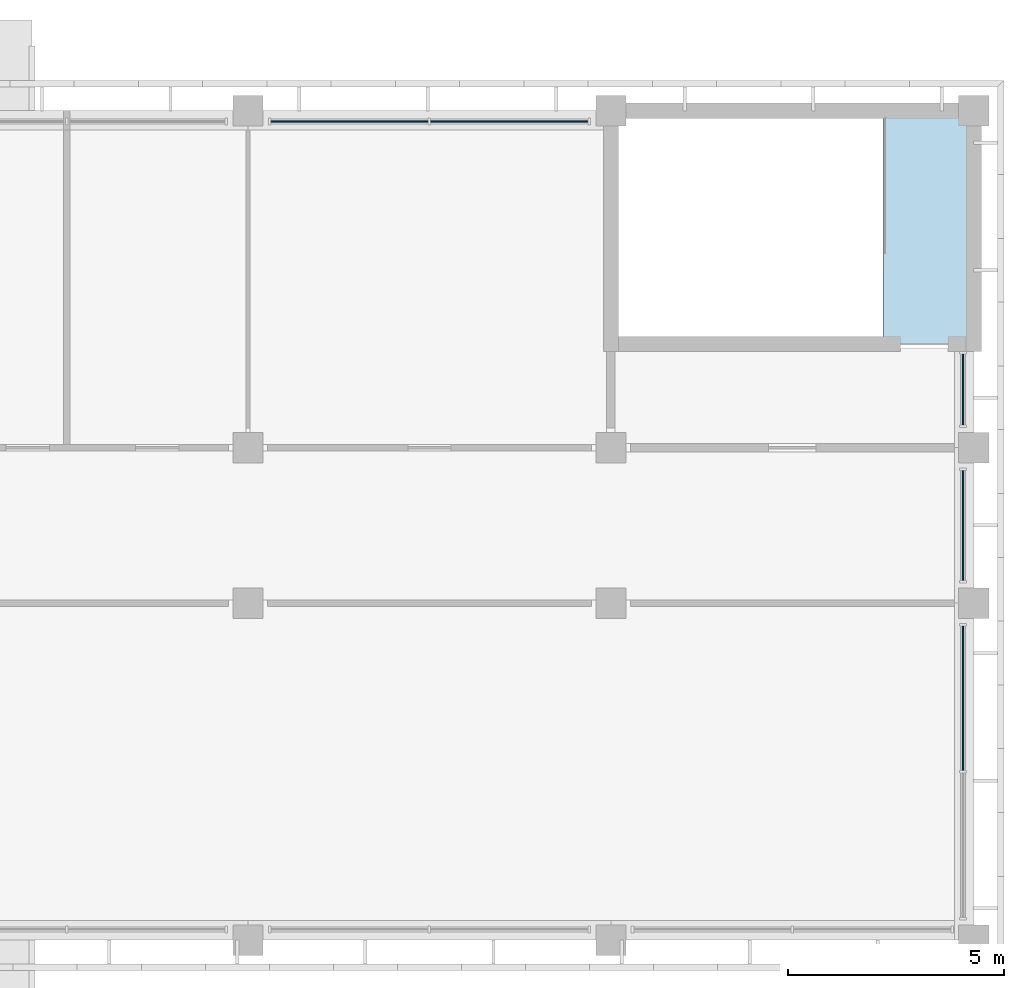
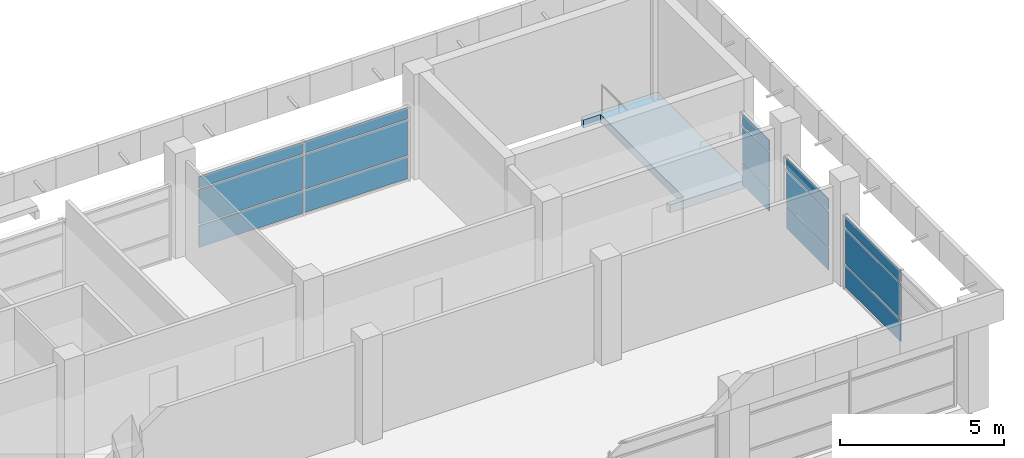
# One storey, part 14 of 36: 15 plates, 1 slab, 4 elements without a shape of their own.
"""IFC4 building model written with IfcOpenShell, lengths in metres."""

from ifc_helpers import new_model, si_unit, direction, frame, origin, origin_2d, place, context, subcontext, project, spatial, polyline, rectangle, outline, extrude, material, layer, layer_set, type_object, element, aggregate, save


model = new_model("IFC4")

# Units and contexts
model_context = context("Model", 3, precision=1e-05, world=origin(), true_north=direction((0.0, 1.0)))
body_context = subcontext(model_context, "Body", "Model", "MODEL_VIEW")
ifc_project = project(units=[si_unit("LENGTHUNIT", "METRE"), si_unit("AREAUNIT", "SQUARE_METRE"), si_unit("VOLUMEUNIT", "CUBIC_METRE"), si_unit("PLANEANGLEUNIT", "RADIAN"), si_unit("MASSUNIT", "GRAM", prefix="KILO")], contexts=[model_context])

# Site, building, storey
site_placement = place(None, origin())
site = spatial("IfcSite", under=ifc_project, at=site_placement, CompositionType="ELEMENT")
building_placement = place(site_placement, origin())
building = spatial("IfcBuilding", under=site, at=building_placement, Name="Bougainvillea Quay General Hospital", CompositionType="ELEMENT")
storey_placement = place(building_placement, frame((0.0, 0.0, 32.699951171875)))
storey = spatial("IfcBuildingStorey", under=building, at=storey_placement, Name="L07", CompositionType="ELEMENT", Elevation=32.699951171875)

# Curtain wall, plates
ifc_material_1 = material(Name="Aluminium curtain wall system, powder-coated glazed", Category="aluminium")
curtain_wall_type_1 = type_object("IfcCurtainWallType", Name="Unitised curtain wall CW-3730", PredefinedType="NOTDEFINED", material=ifc_material_1)
curtain_wall_1_placement = place(storey_placement, origin())
curtain_wall_1 = element("IfcCurtainWall", 1, at=curtain_wall_1_placement, inside=storey, type_object=curtain_wall_type_1, Name="CW-4200 00", PredefinedType="NOTDEFINED")
ifc_material_2 = material(Name="Insulated aluminium spandrel panel, white", Category="aluminium")
ifc_layer_1 = layer(ifc_material_2, 0.028076171875)
ifc_layer_set_1 = layer_set([ifc_layer_1], Name="Insulated aluminium spandrel panel, white")
plate_type_1 = type_object("IfcPlateType", Name="Insulated spandrel panel white 28", PredefinedType="CURTAIN_PANEL", material=ifc_layer_set_1)
plate_1_placement = place(storey_placement, frame((174.050048828125, 159.35009765625, 0.06005859375), z_axis=(0.0, 0.0, 1.0), x_axis=(-1.0, 0.0, 0.0)))
plate_1 = element("IfcPlate", 2, at=plate_1_placement, type_object=plate_type_1, Name="CW-4200 spandrel panel 1.1", PredefinedType="CURTAIN_PANEL", context=body_context, shape_type="SweptSolid", body=[
    extrude(rectangle(XDim=3.639892578125, YDim=0.028076171875, at=origin_2d()), origin(), (0.0, 0.0, 1.0), 0.81005859375),
])
plate_2_placement = place(storey_placement, frame((174.050048828125, 159.35009765625, 2.2802734375), z_axis=(0.0, 0.0, 1.0), x_axis=(-1.0, 0.0, 0.0)))
plate_2 = element("IfcPlate", 3, at=plate_2_placement, type_object=plate_type_1, Name="CW-4200 spandrel panel 1.3", PredefinedType="CURTAIN_PANEL", context=body_context, shape_type="SweptSolid", body=[
    extrude(rectangle(XDim=3.639892578125, YDim=0.028076171875, at=origin_2d()), origin(), (0.0, 0.0, 1.0), 0.409912109375),
])
plate_3_placement = place(storey_placement, frame((170.35009765625, 159.35009765625, 0.06005859375), z_axis=(0.0, 0.0, 1.0), x_axis=(-1.0, 0.0, 0.0)))
plate_3 = element("IfcPlate", 4, at=plate_3_placement, type_object=plate_type_1, Name="CW-4200 spandrel panel 2.1", PredefinedType="CURTAIN_PANEL", context=body_context, shape_type="SweptSolid", body=[
    extrude(rectangle(XDim=3.639892578125, YDim=0.028076171875, at=origin_2d()), origin(), (0.0, 0.0, 1.0), 0.81005859375),
])
plate_4_placement = place(storey_placement, frame((170.35009765625, 159.35009765625, 2.2802734375), z_axis=(0.0, 0.0, 1.0), x_axis=(-1.0, 0.0, 0.0)))
plate_4 = element("IfcPlate", 5, at=plate_4_placement, type_object=plate_type_1, Name="CW-4200 spandrel panel 2.3", PredefinedType="CURTAIN_PANEL", context=body_context, shape_type="SweptSolid", body=[
    extrude(rectangle(XDim=3.639892578125, YDim=0.028076171875, at=origin_2d()), origin(), (0.0, 0.0, 1.0), 0.409912109375),
])

curtain_wall_type_2 = type_object("IfcCurtainWallType", Name="Unitised curtain wall CW-3430", PredefinedType="NOTDEFINED", material=ifc_material_1)
curtain_wall_2_placement = place(storey_placement, origin())
curtain_wall_2 = element("IfcCurtainWall", 6, at=curtain_wall_2_placement, inside=storey, type_object=curtain_wall_type_2, Name="CW-4200 00", PredefinedType="NOTDEFINED")
plate_5_placement = place(storey_placement, frame((184.550048828125, 146.0, 0.06005859375), z_axis=(0.0, 0.0, 1.0), x_axis=(0.0, 1.0, 0.0)))
plate_5 = element("IfcPlate", 7, at=plate_5_placement, type_object=plate_type_1, Name="CW-4200 spandrel panel 2.1", PredefinedType="CURTAIN_PANEL", context=body_context, shape_type="SweptSolid", body=[
    extrude(rectangle(XDim=3.340087890625, YDim=0.028076171875, at=origin_2d()), origin(), (0.0, 0.0, 1.0), 0.81005859375),
])
plate_6_placement = place(storey_placement, frame((184.550048828125, 146.0, 2.2802734375), z_axis=(0.0, 0.0, 1.0), x_axis=(0.0, 1.0, 0.0)))
plate_6 = element("IfcPlate", 8, at=plate_6_placement, type_object=plate_type_1, Name="CW-4200 spandrel panel 2.3", PredefinedType="CURTAIN_PANEL", context=body_context, shape_type="SweptSolid", body=[
    extrude(rectangle(XDim=3.340087890625, YDim=0.028076171875, at=origin_2d()), origin(), (0.0, 0.0, 1.0), 0.409912109375),
])

curtain_wall_type_3 = type_object("IfcCurtainWallType", Name="Unitised curtain wall CW-2660", PredefinedType="NOTDEFINED", material=ifc_material_1)
curtain_wall_3_placement = place(storey_placement, origin())
curtain_wall_3 = element("IfcCurtainWall", 9, at=curtain_wall_3_placement, inside=storey, type_object=curtain_wall_type_3, Name="CW-4200 01", PredefinedType="NOTDEFINED")
plate_7_placement = place(storey_placement, frame((184.550048828125, 150.0, 0.06005859375), z_axis=(0.0, 0.0, 1.0), x_axis=(0.0, 1.0, 0.0)))
plate_7 = element("IfcPlate", 10, at=plate_7_placement, type_object=plate_type_1, Name="CW-4200 spandrel panel 1.1", PredefinedType="CURTAIN_PANEL", context=body_context, shape_type="SweptSolid", body=[
    extrude(rectangle(XDim=2.5400390625, YDim=0.028076171875, at=origin_2d()), origin(), (0.0, 0.0, 1.0), 0.81005859375),
])
plate_8_placement = place(storey_placement, frame((184.550048828125, 150.0, 2.2802734375), z_axis=(0.0, 0.0, 1.0), x_axis=(0.0, 1.0, 0.0)))
plate_8 = element("IfcPlate", 11, at=plate_8_placement, type_object=plate_type_1, Name="CW-4200 spandrel panel 1.3", PredefinedType="CURTAIN_PANEL", context=body_context, shape_type="SweptSolid", body=[
    extrude(rectangle(XDim=2.5400390625, YDim=0.028076171875, at=origin_2d()), origin(), (0.0, 0.0, 1.0), 0.409912109375),
])

curtain_wall_type_4 = type_object("IfcCurtainWallType", Name="Unitised curtain wall CW-1755", PredefinedType="NOTDEFINED", material=ifc_material_1)
curtain_wall_4_placement = place(storey_placement, origin())
curtain_wall_4 = element("IfcCurtainWall", 12, at=curtain_wall_4_placement, inside=storey, type_object=curtain_wall_type_4, Name="CW-4200 02", PredefinedType="NOTDEFINED")
plate_9_placement = place(storey_placement, frame((184.550048828125, 153.1474609375, 0.06005859375), z_axis=(0.0, 0.0, 1.0), x_axis=(0.0, 1.0, 0.0)))
plate_9 = element("IfcPlate", 13, at=plate_9_placement, type_object=plate_type_1, Name="CW-4200 spandrel panel 1.1", PredefinedType="CURTAIN_PANEL", context=body_context, shape_type="SweptSolid", body=[
    extrude(rectangle(XDim=1.635009765625, YDim=0.028076171875, at=origin_2d()), origin(), (0.0, 0.0, 1.0), 0.81005859375),
])
plate_10_placement = place(storey_placement, frame((184.550048828125, 153.1474609375, 2.2802734375), z_axis=(0.0, 0.0, 1.0), x_axis=(0.0, 1.0, 0.0)))
plate_10 = element("IfcPlate", 14, at=plate_10_placement, type_object=plate_type_1, Name="CW-4200 spandrel panel 1.3", PredefinedType="CURTAIN_PANEL", context=body_context, shape_type="SweptSolid", body=[
    extrude(rectangle(XDim=1.635009765625, YDim=0.028076171875, at=origin_2d()), origin(), (0.0, 0.0, 1.0), 0.409912109375),
])

# Plate
ifc_material_3 = material(Name="Low-e laminated glass, solar control", Category="glass")
ifc_layer_2 = layer(ifc_material_3, 0.028076171875)
ifc_layer_set_2 = layer_set([ifc_layer_2], Name="Low-e laminated glass, solar control")
plate_type_2 = type_object("IfcPlateType", Name="Low-e laminated vision glass 28", PredefinedType="CURTAIN_PANEL", material=ifc_layer_set_2)
plate_11_placement = place(storey_placement, frame((174.050048828125, 159.35009765625, 0.929931640625), z_axis=(0.0, 0.0, 1.0), x_axis=(-1.0, 0.0, 0.0)))
plate_11 = element("IfcPlate", 15, at=plate_11_placement, type_object=plate_type_2, Name="CW-4200 vision glass panel 1.2", PredefinedType="CURTAIN_PANEL", context=body_context, shape_type="SweptSolid", body=[
    extrude(rectangle(XDim=3.639892578125, YDim=0.028076171875, at=origin_2d()), origin(), (0.0, 0.0, 1.0), 1.2900390625),
])

plate_12_placement = place(storey_placement, frame((170.35009765625, 159.35009765625, 0.929931640625), z_axis=(0.0, 0.0, 1.0), x_axis=(-1.0, 0.0, 0.0)))
plate_12 = element("IfcPlate", 16, at=plate_12_placement, type_object=plate_type_2, Name="CW-4200 vision glass panel 2.2", PredefinedType="CURTAIN_PANEL", context=body_context, shape_type="SweptSolid", body=[
    extrude(rectangle(XDim=3.639892578125, YDim=0.028076171875, at=origin_2d()), origin(), (0.0, 0.0, 1.0), 1.2900390625),
])

aggregate(curtain_wall_1, [plate_1, plate_11, plate_2, plate_3, plate_12, plate_4])

plate_13_placement = place(storey_placement, frame((184.550048828125, 146.0, 0.929931640625), z_axis=(0.0, 0.0, 1.0), x_axis=(0.0, 1.0, 0.0)))
plate_13 = element("IfcPlate", 17, at=plate_13_placement, type_object=plate_type_2, Name="CW-4200 vision glass panel 2.2", PredefinedType="CURTAIN_PANEL", context=body_context, shape_type="SweptSolid", body=[
    extrude(rectangle(XDim=3.340087890625, YDim=0.028076171875, at=origin_2d()), origin(), (0.0, 0.0, 1.0), 1.2900390625),
])

aggregate(curtain_wall_2, [plate_5, plate_13, plate_6])

plate_14_placement = place(storey_placement, frame((184.550048828125, 150.0, 0.929931640625), z_axis=(0.0, 0.0, 1.0), x_axis=(0.0, 1.0, 0.0)))
plate_14 = element("IfcPlate", 18, at=plate_14_placement, type_object=plate_type_2, Name="CW-4200 vision glass panel 1.2", PredefinedType="CURTAIN_PANEL", context=body_context, shape_type="SweptSolid", body=[
    extrude(rectangle(XDim=2.5400390625, YDim=0.028076171875, at=origin_2d()), origin(), (0.0, 0.0, 1.0), 1.2900390625),
])

aggregate(curtain_wall_3, [plate_7, plate_14, plate_8])

plate_15_placement = place(storey_placement, frame((184.550048828125, 153.1474609375, 0.929931640625), z_axis=(0.0, 0.0, 1.0), x_axis=(0.0, 1.0, 0.0)))
plate_15 = element("IfcPlate", 19, at=plate_15_placement, type_object=plate_type_2, Name="CW-4200 vision glass panel 1.2", PredefinedType="CURTAIN_PANEL", context=body_context, shape_type="SweptSolid", body=[
    extrude(rectangle(XDim=1.635009765625, YDim=0.028076171875, at=origin_2d()), origin(), (0.0, 0.0, 1.0), 1.2900390625),
])

aggregate(curtain_wall_4, [plate_9, plate_15, plate_10])

# Slab
ifc_material_4 = material(Name="Concrete C35", Category="concrete")
ifc_layer_3 = layer(ifc_material_4, 0.300048828125)
ifc_layer_set_3 = layer_set([ifc_layer_3], Name="Concrete C35")
slab_type = type_object("IfcSlabType", Name="RC FLAT SLAB 300 C35", PredefinedType="FLOOR", material=ifc_layer_set_3)
slab_placement = place(storey_placement, frame((0.0, 0.0, -0.300048828125)))
element("IfcSlab", 20, at=slab_placement, inside=storey, type_object=slab_type, Name="Stair landing floor ST-A4 L07", PredefinedType="FLOOR", context=body_context, shape_type="SweptSolid", body=[
    extrude(outline(polyline([(182.102783203125, 159.48388671875), (182.111572265625, 159.5419921875), (182.1259765625, 159.599609375), (184.800048828125, 159.60009765625), (184.800048828125, 154.199951171875), (182.1259765625, 154.200439453125), (182.111572265625, 154.2578125), (182.102783203125, 154.316162109375), (182.10009765625, 154.3740234375), (182.70068359375, 154.374267578125), (182.70068359375, 159.425537109375), (182.10009765625, 159.426025390625), (182.102783203125, 159.48388671875)])), origin(), (0.0, 0.0, 1.0), 0.300048828125),
])

save(model, "model.ifc")
